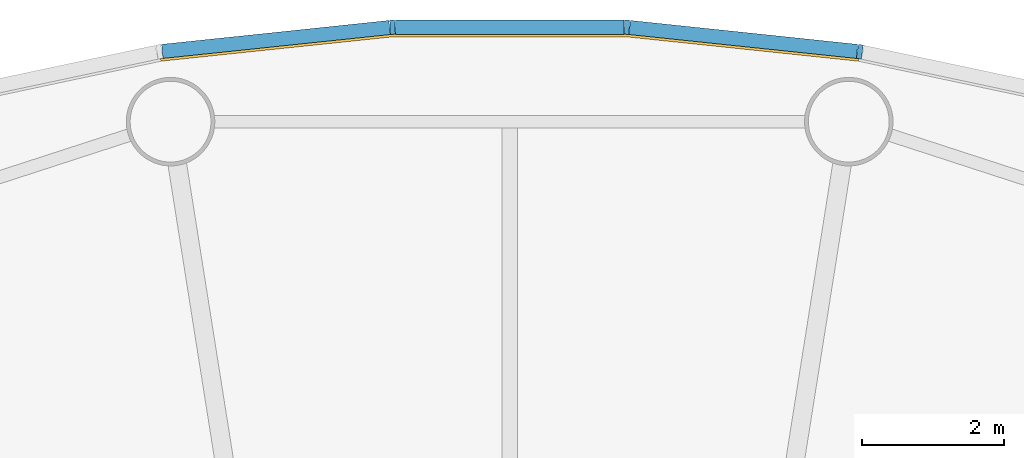
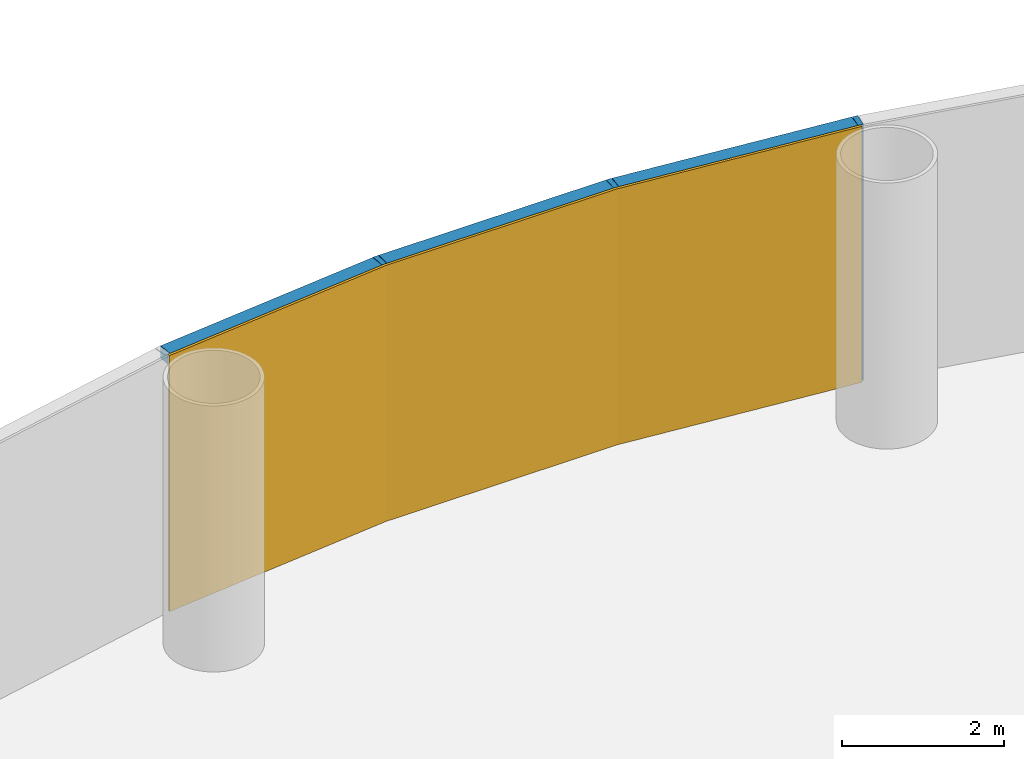
# One storey, part 11 of 13: 6 members, 1 curtain wall.
"""IFC4 building model written with IfcOpenShell, lengths in metres."""

from ifc_helpers import new_model, si_unit, direction, frame, origin, origin_2d, place, context, subcontext, project, spatial, polyline, rectangle, outline, extrude, material, layer, layer_set, material_profile, profile_set, type_object, element, aggregate, save


model = new_model("IFC4")

# Units and contexts
model_context = context("Model", 3, precision=1e-05, world=origin(), true_north=direction((0.0, 1.0)))
body_context = subcontext(model_context, "Body", "Model", "MODEL_VIEW")
ifc_project = project(units=[si_unit("LENGTHUNIT", "METRE"), si_unit("AREAUNIT", "SQUARE_METRE"), si_unit("VOLUMEUNIT", "CUBIC_METRE"), si_unit("PLANEANGLEUNIT", "RADIAN"), si_unit("MASSUNIT", "GRAM", prefix="KILO")], contexts=[model_context])

# Member
ifc_material_1 = material(Name="Anodised aluminium", Category="aluminium")
ifc_material_profile_1 = material_profile(ifc_material_1, rectangle(XDim=0.070068359375, YDim=0.199951171875, at=origin_2d()), Name="Mullion 70 x 200 mm anodised aluminium")
ifc_profile_set_1 = profile_set([ifc_material_profile_1], Name="Anodised aluminium")
member_type_1 = type_object("IfcMemberType", Name="Mullion 70 x 200 mm anodised aluminium", PredefinedType="MULLION", material=ifc_profile_set_1)
site_placement = place(None, origin())
building_placement = place(site_placement, origin())
storey_placement = place(building_placement, frame((0.0, 0.0, 104.0)))
member_1_placement = place(storey_placement, frame((94.943359375, 111.2109375, 0.0), z_axis=(0.0, 0.0, 1.0), x_axis=(-0.987688340595, 0.15643446504, 0.0)))
member_1 = element("IfcMember", 1, at=member_1_placement, type_object=member_type_1, Name="MULLION L23-12", PredefinedType="MULLION", context=body_context, shape_type="SweptSolid", body=[
    extrude(rectangle(XDim=0.070068359375, YDim=0.199951171875, at=origin_2d()), origin(), (0.0, 0.0, 1.0), 3.85009765625),
])

member_2_placement = place(storey_placement, frame((91.65380859375, 111.556640625, 0.0), z_axis=(0.0, 0.0, 1.0), x_axis=(-0.998629534755, 0.052335956243, 0.0)))
member_2 = element("IfcMember", 2, at=member_2_placement, type_object=member_type_1, Name="MULLION L23-13", PredefinedType="MULLION", context=body_context, shape_type="SweptSolid", body=[
    extrude(rectangle(XDim=0.070068359375, YDim=0.199951171875, at=origin_2d()), origin(), (0.0, 0.0, 1.0), 3.85009765625),
])

member_3_placement = place(storey_placement, frame((88.34619140625, 111.556640625, 0.0), z_axis=(0.0, 0.0, 1.0), x_axis=(-0.998629534755, -0.052335956243, 0.0)))
member_3 = element("IfcMember", 3, at=member_3_placement, type_object=member_type_1, Name="MULLION L23-14", PredefinedType="MULLION", context=body_context, shape_type="SweptSolid", body=[
    extrude(rectangle(XDim=0.070068359375, YDim=0.199951171875, at=origin_2d()), origin(), (0.0, 0.0, 1.0), 3.85009765625),
])

ifc_material_2 = material(Name="Anodised aluminium", Category="aluminium")
ifc_material_profile_2 = material_profile(ifc_material_2, rectangle(XDim=0.199951171875, YDim=0.18994140625, at=origin_2d()), Name="Transom 190 x 200 mm anodised aluminium")
ifc_profile_set_2 = profile_set([ifc_material_profile_2], Name="Anodised aluminium")
member_type_2 = type_object("IfcMemberType", Name="Transom 190 x 200 mm anodised aluminium", PredefinedType="USERDEFINED", material=ifc_profile_set_2)
member_4_placement = place(storey_placement, frame((94.9033203125, 111.21533203125, 3.7548828125), z_axis=(-0.994519537956, 0.104550890115, 0.0), x_axis=(-0.104550890115, -0.994519537956, 0.0)))
member_4 = element("IfcMember", 4, at=member_4_placement, type_object=member_type_2, Name="TRANSOM L23-12", ObjectType="TRANSOM", PredefinedType="USERDEFINED", context=body_context, shape_type="SweptSolid", body=[
    extrude(rectangle(XDim=0.199951171875, YDim=0.18994140625, at=origin_2d()), origin(), (0.0, 0.0, 1.0), 3.22705078125),
])

member_5_placement = place(storey_placement, frame((91.613525390625, 111.556884765625, 3.7548828125), z_axis=(-1.0, 0.0, 0.0), x_axis=(0.0, -1.0, 0.0)))
member_5 = element("IfcMember", 5, at=member_5_placement, type_object=member_type_2, Name="TRANSOM L23-13", ObjectType="TRANSOM", PredefinedType="USERDEFINED", context=body_context, shape_type="SweptSolid", body=[
    extrude(rectangle(XDim=0.199951171875, YDim=0.18994140625, at=origin_2d()), origin(), (0.0, 0.0, 1.0), 3.22705078125),
])

member_6_placement = place(storey_placement, frame((88.30615234375, 111.552734375, 3.7548828125), z_axis=(-0.994519537956, -0.104550890115, 0.0), x_axis=(0.104550890115, -0.994519537956, 0.0)))
member_6 = element("IfcMember", 6, at=member_6_placement, type_object=member_type_2, Name="TRANSOM L23-14", ObjectType="TRANSOM", PredefinedType="USERDEFINED", context=body_context, shape_type="SweptSolid", body=[
    extrude(rectangle(XDim=0.199951171875, YDim=0.18994140625, at=origin_2d()), origin(), (0.0, 0.0, 1.0), 3.22705078125),
])

# Site, building, storey
site = spatial("IfcSite", under=ifc_project, at=site_placement, CompositionType="ELEMENT")
building = spatial("IfcBuilding", under=site, at=building_placement, Name="Entoto Ring Tower", CompositionType="ELEMENT")
storey = spatial("IfcBuildingStorey", under=building, at=storey_placement, Name="L23", CompositionType="ELEMENT", Elevation=104.0)

# Curtain wall
ifc_material_3 = material(Name="Clear low-iron glass", Category="glass")
ifc_layer = layer(ifc_material_3, 0.035888671875)
ifc_layer_set = layer_set([ifc_layer], Name="Clear low-iron glass")
curtain_wall_type = type_object("IfcCurtainWallType", Name="Curtain wall system CW2 glazing 36 mm", PredefinedType="NOTDEFINED", material=ifc_layer_set)
curtain_wall_placement = place(storey_placement, origin())
curtain_wall = element("IfcCurtainWall", 7, at=curtain_wall_placement, inside=storey, type_object=curtain_wall_type, Name="CW2 L23-05", PredefinedType="NOTDEFINED", context=body_context, shape_type="SweptSolid", body=[
    extrude(outline(polyline([(94.927734375, 111.1123046875), (91.648681640625, 111.456787109375), (88.351318359375, 111.456787109375), (85.072265625, 111.1123046875), (85.077880859375, 111.07666015625), (88.353271484375, 111.4208984375), (91.646728515625, 111.4208984375), (94.922119140625, 111.07666015625), (94.927734375, 111.1123046875)])), origin(), (0.0, 0.0, 1.0), 3.85009765625),
])

aggregate(curtain_wall, [member_1, member_2, member_3, member_4, member_5, member_6])

save(model, "model.ifc")
